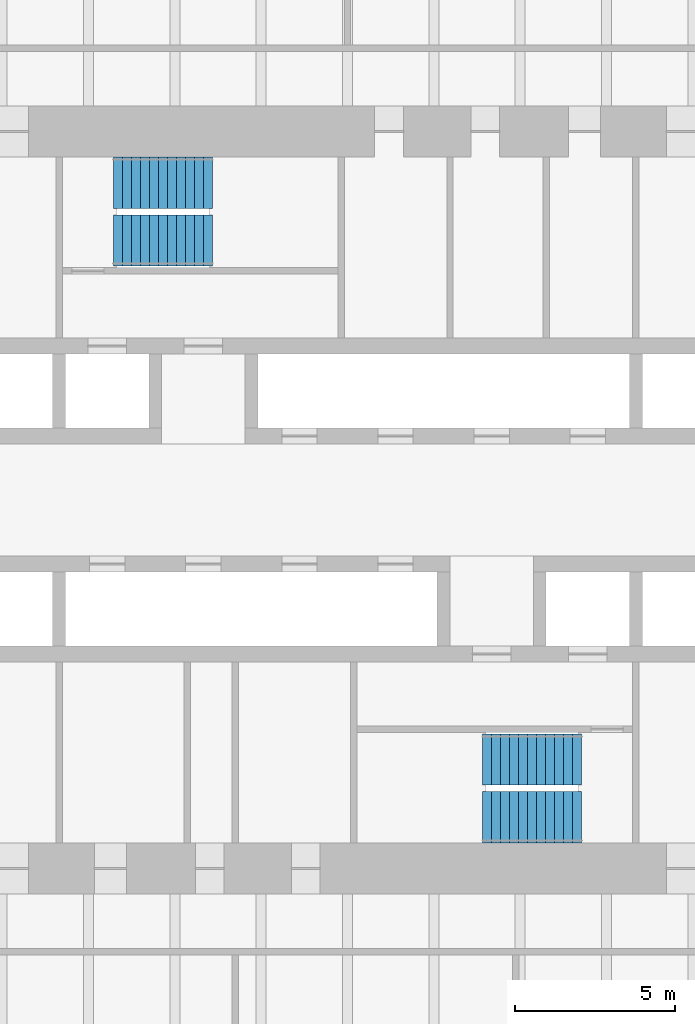
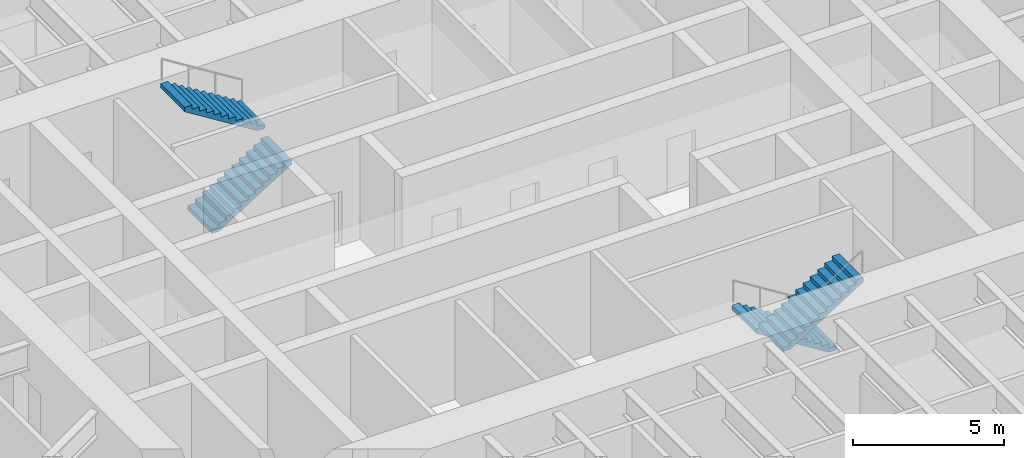
# One storey, part 20 of 23: 4 stair flights, 2 elements without a shape of their own.
"""IFC4 building model written with IfcOpenShell, lengths in metres."""

from ifc_helpers import new_model, si_unit, direction, frame, origin, place, context, subcontext, project, spatial, polyline, outline, extrude, material, type_object, element, aggregate, save


model = new_model("IFC4")

# Units and contexts
model_context = context("Model", 3, precision=1e-05, world=origin(), true_north=direction((0.0, 1.0)))
body_context = subcontext(model_context, "Body", "Model", "MODEL_VIEW")
ifc_project = project(units=[si_unit("LENGTHUNIT", "METRE"), si_unit("AREAUNIT", "SQUARE_METRE"), si_unit("VOLUMEUNIT", "CUBIC_METRE"), si_unit("PLANEANGLEUNIT", "RADIAN"), si_unit("MASSUNIT", "GRAM", prefix="KILO")], contexts=[model_context])

# Site, building, storey
site_placement = place(None, origin())
site = spatial("IfcSite", under=ifc_project, at=site_placement, CompositionType="ELEMENT")
building_placement = place(site_placement, origin())
building = spatial("IfcBuilding", under=site, at=building_placement, Name="Tarfa Lantern Tower", CompositionType="ELEMENT")
storey_placement = place(building_placement, frame((0.0, 0.0, 27.699951171875)))
storey = spatial("IfcBuildingStorey", under=building, at=storey_placement, Name="L05", CompositionType="ELEMENT", Elevation=27.699951171875)

# Stair, stair flights
ifc_material = material(Name="Concrete C40/50", Category="concrete")
stair_type = type_object("IfcStairType", Name="ST-T10 HALF-TURN STAIR 4200 RISE", PredefinedType="HALF_TURN_STAIR", material=ifc_material)
stair_1_placement = place(storey_placement, origin())
stair_1 = element("IfcStair", 1, at=stair_1_placement, inside=storey, type_object=stair_type, Name="Stair ST1", PredefinedType="HALF_TURN_STAIR")
stair_flight_type = type_object("IfcStairFlightType", Name="SF1 STAIR FLIGHT", PredefinedType="STRAIGHT", material=ifc_material)
stair_flight_1_placement = place(storey_placement, frame((-7.300048828125, 8.10009765625, 0.0), z_axis=(0.0, 0.0, 1.0), x_axis=(1.0, 0.0, 0.0)))
stair_flight_1 = element("IfcStairFlight", 2, at=stair_flight_1_placement, type_object=stair_flight_type, Name="ST1 flight 1", NumberOfRisers=12, NumberOfTreads=11, PredefinedType="STRAIGHT", RiserHeight=0.175, TreadLength=0.28, context=body_context, shape_type="SweptSolid", body=[
    extrude(outline(polyline([(0.0, 0.0), (0.0, 0.175048828125), (0.280029296875, 0.175048828125), (0.280029296875, 0.35009765625), (0.56005859375, 0.35009765625), (0.56005859375, 0.52490234375), (0.840087890625, 0.52490234375), (0.840087890625, 0.699951171875), (1.1201171875, 0.699951171875), (1.1201171875, 0.875), (1.39990234375, 0.875), (1.39990234375, 1.050048828125), (1.679931640625, 1.050048828125), (1.679931640625, 1.22509765625), (1.9599609375, 1.22509765625), (1.9599609375, 1.39990234375), (2.239990234375, 1.39990234375), (2.239990234375, 1.574951171875), (2.52001953125, 1.574951171875), (2.52001953125, 1.75), (2.800048828125, 1.75), (2.800048828125, 1.925048828125), (3.080078125, 1.925048828125), (3.080078125, 2.10009765625), (3.080078125, 1.748291015625), (0.28271484375, 0.0), (0.0, 0.0)])), frame((0.0, 0.800048828125, 0.0), z_axis=(0.0, -1.0, 0.0), x_axis=(1.0, 0.0, 0.0)), (0.0, 0.0, 1.0), 1.60009765625),
])
stair_flight_2_placement = place(storey_placement, frame((-4.219970703125, 9.89990234375, 2.10009765625), z_axis=(0.0, 0.0, 1.0), x_axis=(-1.0, 0.0, 0.0)))
stair_flight_2 = element("IfcStairFlight", 3, at=stair_flight_2_placement, type_object=stair_flight_type, Name="ST1 flight 2", NumberOfRisers=12, NumberOfTreads=11, PredefinedType="STRAIGHT", RiserHeight=0.175, TreadLength=0.28, context=body_context, shape_type="SweptSolid", body=[
    extrude(outline(polyline([(0.0, 0.0), (0.0, 0.175048828125), (0.280029296875, 0.175048828125), (0.280029296875, 0.35009765625), (0.56005859375, 0.35009765625), (0.56005859375, 0.52490234375), (0.840087890625, 0.52490234375), (0.840087890625, 0.699951171875), (1.1201171875, 0.699951171875), (1.1201171875, 0.875), (1.39990234375, 0.875), (1.39990234375, 1.050048828125), (1.679931640625, 1.050048828125), (1.679931640625, 1.22509765625), (1.9599609375, 1.22509765625), (1.9599609375, 1.39990234375), (2.239990234375, 1.39990234375), (2.239990234375, 1.574951171875), (2.52001953125, 1.574951171875), (2.52001953125, 1.75), (2.800048828125, 1.75), (2.800048828125, 1.925048828125), (3.080078125, 1.925048828125), (3.080078125, 2.10009765625), (3.080078125, 1.748291015625), (0.28271484375, 0.0), (0.0, 0.0)])), frame((0.0, 0.800048828125, 0.0), z_axis=(0.0, -1.0, 0.0), x_axis=(1.0, 0.0, 0.0)), (0.0, 0.0, 1.0), 1.60009765625),
])
aggregate(stair_1, [stair_flight_1, stair_flight_2])

stair_2_placement = place(storey_placement, origin())
stair_2 = element("IfcStair", 4, at=stair_2_placement, inside=storey, type_object=stair_type, Name="Stair ST2", PredefinedType="HALF_TURN_STAIR")
stair_flight_3_placement = place(storey_placement, frame((7.300048828125, -8.10009765625, 0.0), z_axis=(0.0, 0.0, 1.0), x_axis=(-1.0, 0.0, 0.0)))
stair_flight_3 = element("IfcStairFlight", 5, at=stair_flight_3_placement, type_object=stair_flight_type, Name="ST2 flight 1", NumberOfRisers=12, NumberOfTreads=11, PredefinedType="STRAIGHT", RiserHeight=0.175, TreadLength=0.28, context=body_context, shape_type="SweptSolid", body=[
    extrude(outline(polyline([(0.0, 0.0), (0.0, 0.175048828125), (0.280029296875, 0.175048828125), (0.280029296875, 0.35009765625), (0.56005859375, 0.35009765625), (0.56005859375, 0.52490234375), (0.840087890625, 0.52490234375), (0.840087890625, 0.699951171875), (1.1201171875, 0.699951171875), (1.1201171875, 0.875), (1.39990234375, 0.875), (1.39990234375, 1.050048828125), (1.679931640625, 1.050048828125), (1.679931640625, 1.22509765625), (1.9599609375, 1.22509765625), (1.9599609375, 1.39990234375), (2.239990234375, 1.39990234375), (2.239990234375, 1.574951171875), (2.52001953125, 1.574951171875), (2.52001953125, 1.75), (2.800048828125, 1.75), (2.800048828125, 1.925048828125), (3.080078125, 1.925048828125), (3.080078125, 2.10009765625), (3.080078125, 1.748291015625), (0.28271484375, 0.0), (0.0, 0.0)])), frame((0.0, 0.800048828125, 0.0), z_axis=(0.0, -1.0, 0.0), x_axis=(1.0, 0.0, 0.0)), (0.0, 0.0, 1.0), 1.60009765625),
])
stair_flight_4_placement = place(storey_placement, frame((4.219970703125, -9.89990234375, 2.10009765625), z_axis=(0.0, 0.0, 1.0), x_axis=(1.0, 0.0, 0.0)))
stair_flight_4 = element("IfcStairFlight", 6, at=stair_flight_4_placement, type_object=stair_flight_type, Name="ST2 flight 2", NumberOfRisers=12, NumberOfTreads=11, PredefinedType="STRAIGHT", RiserHeight=0.175, TreadLength=0.28, context=body_context, shape_type="SweptSolid", body=[
    extrude(outline(polyline([(0.0, 0.0), (0.0, 0.175048828125), (0.280029296875, 0.175048828125), (0.280029296875, 0.35009765625), (0.56005859375, 0.35009765625), (0.56005859375, 0.52490234375), (0.840087890625, 0.52490234375), (0.840087890625, 0.699951171875), (1.1201171875, 0.699951171875), (1.1201171875, 0.875), (1.39990234375, 0.875), (1.39990234375, 1.050048828125), (1.679931640625, 1.050048828125), (1.679931640625, 1.22509765625), (1.9599609375, 1.22509765625), (1.9599609375, 1.39990234375), (2.239990234375, 1.39990234375), (2.239990234375, 1.574951171875), (2.52001953125, 1.574951171875), (2.52001953125, 1.75), (2.800048828125, 1.75), (2.800048828125, 1.925048828125), (3.080078125, 1.925048828125), (3.080078125, 2.10009765625), (3.080078125, 1.748291015625), (0.28271484375, 0.0), (0.0, 0.0)])), frame((0.0, 0.800048828125, 0.0), z_axis=(0.0, -1.0, 0.0), x_axis=(1.0, 0.0, 0.0)), (0.0, 0.0, 1.0), 1.60009765625),
])
aggregate(stair_2, [stair_flight_3, stair_flight_4])

save(model, "model.ifc")
